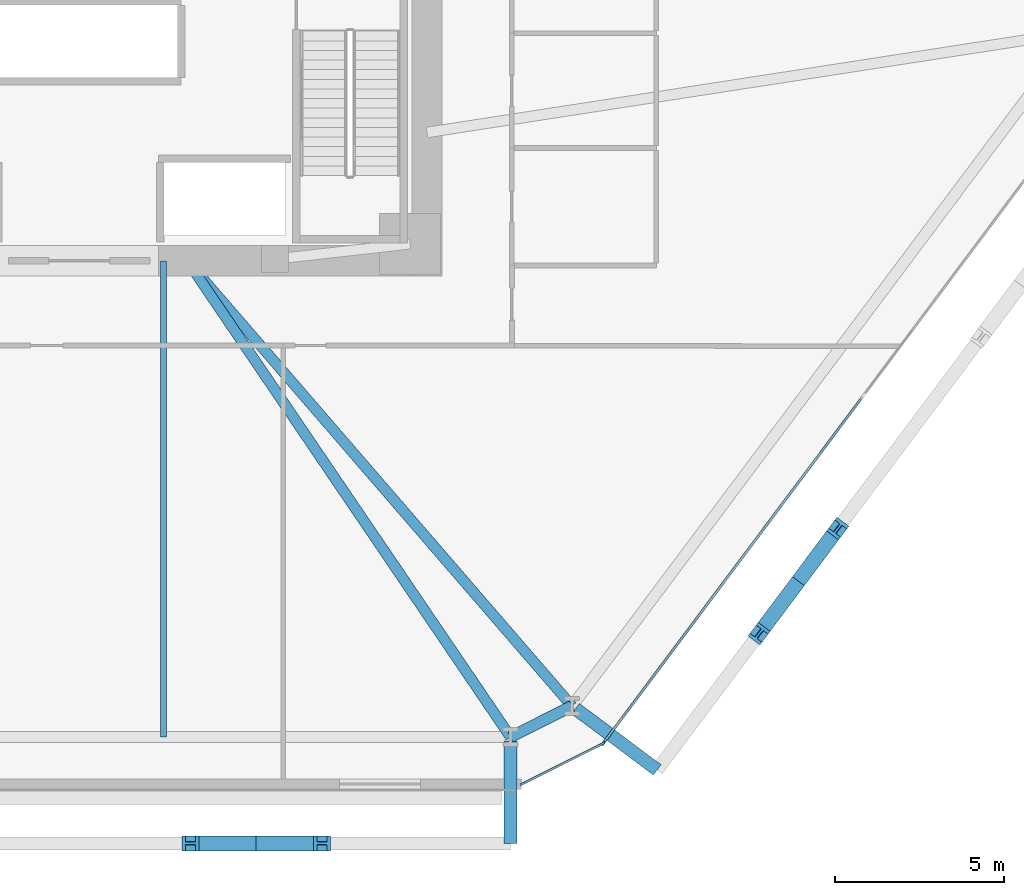
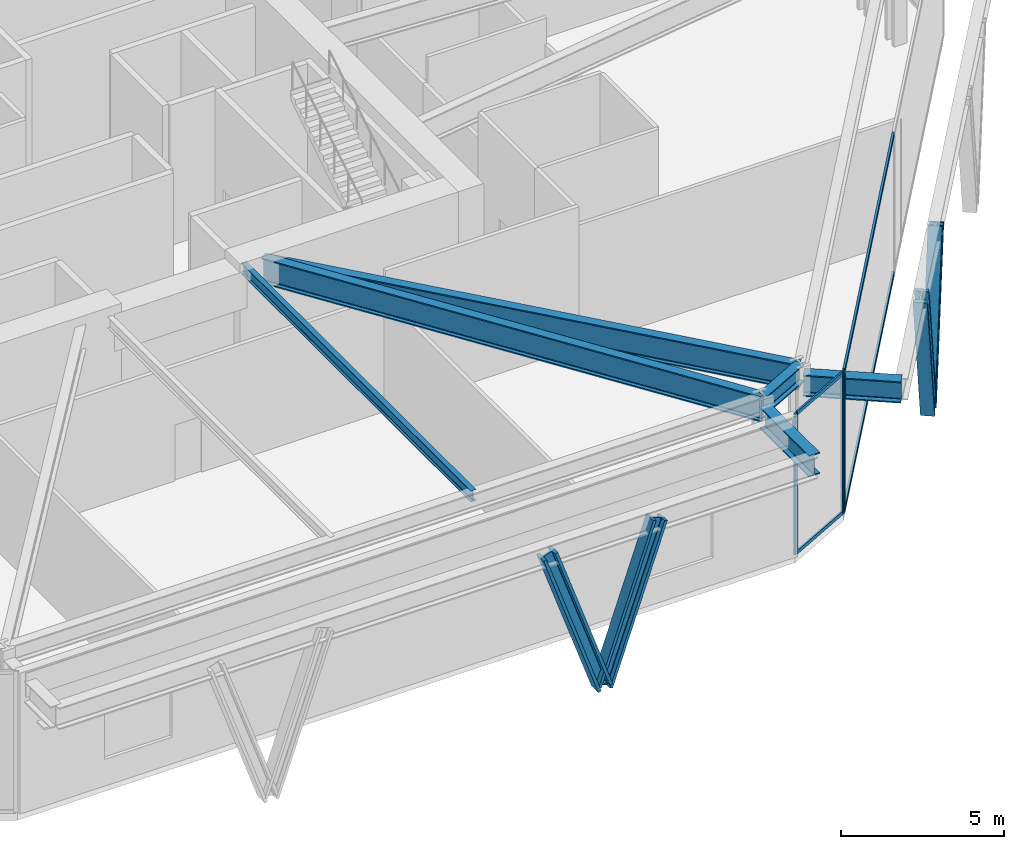
# One storey, part 5 of 19: 11 members, 6 beams, 2 elements without a shape of their own.
"""IFC4 building model written with IfcOpenShell, lengths in metres."""

import ifcopenshell
import ifcopenshell.guid

model = None  # the IFC model being written
_history = None  # IfcOwnerHistory: only IFC2X3 demands one
_inside = {}  # id of a spatial element -> (the spatial element, [elements in it])
_under = {}  # id of a project, library or spatial element -> (it, [spatial elements below it])
_declared = {}  # id of a project -> (the project, [libraries it declares])
_typed = {}  # id of a type object -> (the type object, [elements of that type])
_made_of = {}  # id of a material, layer set ... -> (it, [elements and type objects made of it])


def new_model(schema):
    """Start an empty IFC model of exactly this schema.

    Asked for "IFC4X3", IfcOpenShell would pick the latest addendum, in which some entities
    have other attributes; the version numbers below select the first issue.
    IFC2X3 requires an IfcOwnerHistory on every rooted entity: one is made here for all.
    """
    global model, _history
    if schema == "IFC4X3":
        model = ifcopenshell.file(schema_version=(4, 3, 0, 0))
    else:
        model = ifcopenshell.file(schema=schema)
    _inside.clear()
    _under.clear()
    _declared.clear()
    _typed.clear()
    _made_of.clear()
    _history = None
    if model.schema == "IFC2X3":
        org = make("IfcOrganization", Name="unknown")
        user = make(
            "IfcPersonAndOrganization",
            ThePerson=make("IfcPerson", FamilyName="unknown"),
            TheOrganization=org,
        )
        app = make(
            "IfcApplication",
            ApplicationDeveloper=org,
            Version="unknown",
            ApplicationFullName="unknown",
            ApplicationIdentifier="unknown",
        )
        _history = make(
            "IfcOwnerHistory",
            OwningUser=user,
            OwningApplication=app,
            ChangeAction="ADDED",
            CreationDate=0,
        )
    return model


def make(cls, **values):
    """One entity of the class cls with the attributes given. An attribute that is None is left unset."""
    return model.create_entity(
        cls, **{name: value for name, value in values.items() if value is not None}
    )


def rooted(cls, **values):
    """An entity with a GlobalId (a new one), such as an element, a storey or a relation."""
    return make(cls, GlobalId=ifcopenshell.guid.new(), OwnerHistory=_history, **values)


def si_unit(unit_type, name, prefix=None):
    """IfcSIUnit, for example si_unit("LENGTHUNIT", "METRE", prefix="MILLI")."""
    return make("IfcSIUnit", UnitType=unit_type, Prefix=prefix, Name=name)


def assignment(units):
    """IfcUnitAssignment: the units of a project."""
    return None if units is None else make("IfcUnitAssignment", Units=units)


def point(xyz):
    """IfcCartesianPoint."""
    return None if xyz is None else make("IfcCartesianPoint", Coordinates=xyz)


def direction(xyz):
    """IfcDirection."""
    return None if xyz is None else make("IfcDirection", DirectionRatios=xyz)


def frame(location, z_axis=None, x_axis=None):
    """IfcAxis2Placement3D, a coordinate frame: its origin and axes. An axis left out is left unset."""
    return make(
        "IfcAxis2Placement3D",
        Location=point(location),
        Axis=direction(z_axis),
        RefDirection=direction(x_axis),
    )


def frame_2d(location, x_axis=None):
    """IfcAxis2Placement2D, a coordinate frame in the plane: its origin and x axis."""
    return make(
        "IfcAxis2Placement2D", Location=point(location), RefDirection=direction(x_axis)
    )


def origin():
    """The frame at (0, 0, 0) with its axes left unset."""
    return frame((0.0, 0.0, 0.0))


def origin_2d():
    """The frame at (0, 0) in the plane with its x axis left unset."""
    return frame_2d((0.0, 0.0))


def place(relative_to, where):
    """IfcLocalPlacement: puts the frame where relative to a parent placement (None: the world)."""
    return make(
        "IfcLocalPlacement", PlacementRelTo=relative_to, RelativePlacement=where
    )


def context(
    kind, dimensions, precision=None, world=None, true_north=None, identifier=None
):
    """IfcGeometricRepresentationContext, for example the 3D "Model" context."""
    return make(
        "IfcGeometricRepresentationContext",
        ContextIdentifier=identifier,
        ContextType=kind,
        CoordinateSpaceDimension=dimensions,
        Precision=precision,
        WorldCoordinateSystem=world,
        TrueNorth=true_north,
    )


def subcontext(parent, identifier, kind, view, scale=None):
    """IfcGeometricRepresentationSubContext, for example "Body" below "Model"."""
    return make(
        "IfcGeometricRepresentationSubContext",
        ContextIdentifier=identifier,
        ContextType=kind,
        ParentContext=parent,
        TargetScale=scale,
        TargetView=view,
    )


def project(units=None, contexts=None):
    """IfcProject with its units and contexts."""
    return rooted(
        "IfcProject",
        Name="project",
        RepresentationContexts=contexts,
        UnitsInContext=assignment(units),
    )


def spatial(cls, under=None, at=None, **own):
    """A site, building, storey or space (cls), placed at a placement, below another one or the project."""
    s = rooted(cls, ObjectPlacement=at, **own)
    if under is not None:
        _under.setdefault(under.id(), (under, []))[1].append(s)
    return s


def profile(cls, at=None, kind="AREA", **sizes):
    """A parametric profile (cls). Its sizes go by their IFC names, for example OverallWidth=200.0."""
    return make(cls, ProfileType=kind, Position=at, **sizes)


def rectangle(**sizes):
    """IfcRectangleProfileDef."""
    return profile("IfcRectangleProfileDef", **sizes)


def i_section(**sizes):
    """IfcIShapeProfileDef."""
    return profile("IfcIShapeProfileDef", **sizes)


def extrude(swept, where, along, depth):
    """IfcExtrudedAreaSolid: the profile swept, set in the frame where, extruded along a direction by depth."""
    return make(
        "IfcExtrudedAreaSolid",
        SweptArea=swept,
        Position=where,
        ExtrudedDirection=direction(along),
        Depth=depth,
    )


def shape(context_of_items, identifier, shape_type, items):
    """IfcShapeRepresentation: the items that make up one representation, for example the "Body"."""
    return make(
        "IfcShapeRepresentation",
        ContextOfItems=context_of_items,
        RepresentationIdentifier=identifier,
        RepresentationType=shape_type,
        Items=items,
    )


def source(mapping_origin, context_of_items, identifier, shape_type, items):
    """IfcRepresentationMap: a shape defined once, which mapped items show again and again."""
    return make(
        "IfcRepresentationMap",
        MappingOrigin=mapping_origin,
        MappedRepresentation=shape(context_of_items, identifier, shape_type, items),
    )


def transform(
    local_origin,
    x_axis=None,
    y_axis=None,
    z_axis=None,
    scale=None,
    scale2=None,
    scale3=None,
    uniform=True,
):
    """IfcCartesianTransformationOperator3D, or its non-uniform kind. x_axis, y_axis, z_axis: its Axis1, 2, 3."""
    if uniform:
        return make(
            "IfcCartesianTransformationOperator3D",
            Axis1=direction(x_axis),
            Axis2=direction(y_axis),
            LocalOrigin=point(local_origin),
            Scale=scale,
            Axis3=direction(z_axis),
        )
    return make(
        "IfcCartesianTransformationOperator3DnonUniform",
        Axis1=direction(x_axis),
        Axis2=direction(y_axis),
        LocalOrigin=point(local_origin),
        Scale=scale,
        Axis3=direction(z_axis),
        Scale2=scale2,
        Scale3=scale3,
    )


def mapped(mapping_source, mapping_target):
    """IfcMappedItem: shows the shape of a source again, moved by a transform."""
    return make(
        "IfcMappedItem", MappingSource=mapping_source, MappingTarget=mapping_target
    )


def material(Name=None, Category=None):
    """IfcMaterial."""
    return make("IfcMaterial", Name=Name, Category=Category)


def layer(
    of_material, thickness, ventilated=None, Name=None, Category=None, Priority=None
):
    """IfcMaterialLayer: one layer of a wall or slab, of a material (None: an air gap)."""
    return make(
        "IfcMaterialLayer",
        Material=of_material,
        LayerThickness=thickness,
        IsVentilated=ventilated,
        Name=Name,
        Category=Category,
        Priority=Priority,
    )


def layer_set(layers, Name=None):
    """IfcMaterialLayerSet."""
    return make("IfcMaterialLayerSet", MaterialLayers=layers, LayerSetName=Name)


def material_profile(
    of_material, cross_section, Name=None, Category=None, Priority=None
):
    """IfcMaterialProfile: a cross section and its material."""
    return make(
        "IfcMaterialProfile",
        Name=Name,
        Material=of_material,
        Profile=cross_section,
        Priority=Priority,
        Category=Category,
    )


def profile_set(profiles, Name=None, composite=None):
    """IfcMaterialProfileSet."""
    return make(
        "IfcMaterialProfileSet",
        Name=Name,
        MaterialProfiles=profiles,
        CompositeProfile=composite,
    )


def made_of(thing, what):
    """Note that an element or type object is made of a material, layer set ...; save() writes the relation."""
    if what is not None:
        _made_of.setdefault(what.id(), (what, []))[1].append(thing)
    return thing


def type_object(cls, material=None, **own):
    """A type object (cls), such as IfcWallType, which elements share."""
    return made_of(rooted(cls, **own), material)


def type_shapes(of_type, sources):
    """Give a type object the sources (RepresentationMaps) that its elements show as mapped items."""
    of_type.RepresentationMaps = sources


def element(
    cls,
    number,
    at=None,
    inside=None,
    cuts=None,
    type_object=None,
    material=None,
    context=None,
    identifier="Body",
    shape_type=None,
    held_by="IfcProductDefinitionShape",
    body=None,
    shapes=None,
    **own,
):
    """One element of the class cls, such as IfcWall. Its Tag is "e" and its number.

    at: its placement. inside: the storey or other place that contains it. cuts: it is an
    opening in that element (IfcRelVoidsElement). A single representation is given by context,
    identifier, shape_type and body (its items); several are given by shapes. held_by: the class
    of the entity that holds the representations. save() writes the other relations.
    """
    e = rooted(cls, Tag="e%d" % number, ObjectPlacement=at, **own)
    if body is not None:
        shapes = [shape(context, identifier, shape_type, body)]
    if shapes is not None:
        e.Representation = make(held_by, Representations=shapes)
    if inside is not None:
        _inside.setdefault(inside.id(), (inside, []))[1].append(e)
    if cuts is not None:
        rooted(
            "IfcRelVoidsElement", RelatingBuildingElement=cuts, RelatedOpeningElement=e
        )
    if type_object is not None:
        _typed.setdefault(type_object.id(), (type_object, []))[1].append(e)
    return made_of(e, material)


def aggregate(whole, parts):
    """IfcRelAggregates: a whole, such as a stair, and the parts it consists of."""
    return rooted("IfcRelAggregates", RelatingObject=whole, RelatedObjects=parts)


def save(model, path):
    """Write the relations noted so far, then the file.

    IfcRelAggregates (storeys below a building ...), IfcRelContainedInSpatialStructure (elements
    in a storey), IfcRelDefinesByType, IfcRelAssociatesMaterial and IfcRelDeclares: one each for
    every whole, place, type object, material and project.
    """
    for whole, parts in _under.values():
        aggregate(whole, parts)
    for where, things in _inside.values():
        rooted(
            "IfcRelContainedInSpatialStructure",
            RelatedElements=things,
            RelatingStructure=where,
        )
    for kind, things in _typed.values():
        rooted("IfcRelDefinesByType", RelatedObjects=things, RelatingType=kind)
    for what, things in _made_of.values():
        rooted("IfcRelAssociatesMaterial", RelatedObjects=things, RelatingMaterial=what)
    for by, libraries in _declared.values():
        rooted("IfcRelDeclares", RelatingContext=by, RelatedDefinitions=libraries)
    model.write(path)


model = new_model("IFC4")

# Units and contexts
model_context = context("Model", 3, precision=1e-05, world=origin(), true_north=direction((0.0, 1.0)))
body_context = subcontext(model_context, "Body", "Model", "MODEL_VIEW")
ifc_project = project(units=[si_unit("LENGTHUNIT", "METRE"), si_unit("AREAUNIT", "SQUARE_METRE"), si_unit("VOLUMEUNIT", "CUBIC_METRE"), si_unit("PLANEANGLEUNIT", "RADIAN"), si_unit("MASSUNIT", "GRAM", prefix="KILO")], contexts=[model_context])

# Site, building, storey
site_placement = place(None, origin())
site = spatial("IfcSite", under=ifc_project, at=site_placement, CompositionType="ELEMENT")
building_placement = place(site_placement, origin())
building = spatial("IfcBuilding", under=site, at=building_placement, Name="Durnholm Broadcast Tower", CompositionType="ELEMENT")
storey_placement = place(building_placement, frame((0.0, 0.0, 15.60009765625)))
storey = spatial("IfcBuildingStorey", under=building, at=storey_placement, Name="L03", CompositionType="ELEMENT", Elevation=15.60009765625)

# Beams
ifc_material_1 = material(Name="Steel ASTM A992 Grade 50", Category="steel")
ifc_material_profile_1 = material_profile(ifc_material_1, i_section(OverallWidth=0.3330078125, OverallDepth=0.660888671875, WebThickness=0.0244140625, FlangeThickness=0.0439453125, FilletRadius=0.02783203125, at=origin_2d()), Name="W24X229")
ifc_profile_set_1 = profile_set([ifc_material_profile_1], Name="Steel ASTM A992 Grade 50")
beam_type_1 = type_object("IfcBeamType", Name="STL-SP-W24X229", PredefinedType="SPANDREL", material=ifc_profile_set_1)
shared_shape_1 = source(origin(), body_context, "Body", "SweptSolid", [
    extrude(i_section(OverallWidth=0.3330078125, OverallDepth=0.660888671875, WebThickness=0.0244140625, FlangeThickness=0.0439453125, FilletRadius=0.02783203125, at=origin_2d()), origin(), (0.0, 0.0, 1.0), 2.0380859375),
])
type_shapes(beam_type_1, [shared_shape_1])
beam_1_placement = place(storey_placement, frame((14.594482421875, -21.487548828125, 4.934326171875), z_axis=(-0.894211470078, -0.447644777452, 0.0), x_axis=(0.447644777452, -0.894211470078, 0.0)))
element("IfcBeam", 1, at=beam_1_placement, inside=storey, type_object=beam_type_1, Name="L03 perimeter spandrel girder 10", PredefinedType="SPANDREL", context=body_context, shape_type="MappedRepresentation", body=[
    mapped(shared_shape_1, transform((0.0, 0.0, 0.0), x_axis=(1.0, 0.0, 0.0), y_axis=(0.0, 1.0, 0.0), z_axis=(0.0, 0.0, 1.0), scale=1.0)),
])
ifc_material_profile_2 = material_profile(ifc_material_1, i_section(OverallWidth=0.180908203125, OverallDepth=0.417236328125, WebThickness=0.010986328125, FlangeThickness=0.018310546875, FilletRadius=0.01904296875, at=origin_2d()), Name="W16X57")
ifc_profile_set_2 = profile_set([ifc_material_profile_2], Name="Steel ASTM A992 Grade 50")
beam_type_2 = type_object("IfcBeamType", Name="STL-BJ-W16X57", PredefinedType="JOIST", material=ifc_profile_set_2)
shared_shape_2 = source(origin(), body_context, "Body", "SweptSolid", [
    extrude(i_section(OverallWidth=0.180908203125, OverallDepth=0.417236328125, WebThickness=0.010986328125, FlangeThickness=0.018310546875, FilletRadius=0.01904296875, at=origin_2d()), origin(), (0.0, 0.0, 1.0), 14.099853515625),
])
type_shapes(beam_type_2, [shared_shape_2])
beam_2_placement = place(storey_placement, frame((2.5, -22.39990234375, 5.05615234375), z_axis=(0.0, 1.0, 0.0), x_axis=(-1.0, 0.0, 0.0)))
element("IfcBeam", 2, at=beam_2_placement, inside=storey, type_object=beam_type_2, Name="L03 secondary floor joist 6.1", PredefinedType="JOIST", context=body_context, shape_type="MappedRepresentation", body=[
    mapped(shared_shape_2, transform((0.0, 0.0, 0.0), x_axis=(1.0, 0.0, 0.0), y_axis=(0.0, 1.0, 0.0), z_axis=(0.0, 0.0, 1.0), scale=1.0)),
])
ifc_material_profile_3 = material_profile(ifc_material_1, i_section(OverallWidth=0.385009765625, OverallDepth=0.802978515625, WebThickness=0.023681640625, FlangeThickness=0.0419921875, FilletRadius=0.032958984375, at=origin_2d()), Name="W30X261")
ifc_profile_set_3 = profile_set([ifc_material_profile_3], Name="Steel ASTM A992 Grade 50")
beam_type_3 = type_object("IfcBeamType", Name="BM-EXO-TIE", PredefinedType="USERDEFINED", material=ifc_profile_set_3)
shared_shape_3 = source(origin(), body_context, "Body", "SweptSolid", [
    extrude(i_section(OverallWidth=0.385009765625, OverallDepth=0.802978515625, WebThickness=0.023681640625, FlangeThickness=0.0419921875, FilletRadius=0.032958984375, at=origin_2d()), origin(), (0.0, 0.0, 1.0), 3.024169921875),
])
type_shapes(beam_type_3, [shared_shape_3])
for number, where, z_axis, x_axis, name in (
    (3, (12.77197265625, -22.52587890625, 4.5283203125), (0.0, -1.0, 0.0), (1.0, 0.0, 0.0), "L03 exoskeleton stand-off tie bracket F1.2"),
    (4, (14.6953125, -21.56298828125, 4.5283203125), (0.800609912919, -0.599185920509, 0.0), (0.599185920509, 0.800609912919, 0.0), "L03 exoskeleton stand-off tie bracket F2.1"),
):
    element("IfcBeam", number, at=place(storey_placement, frame(where, z_axis=z_axis, x_axis=x_axis)), inside=storey, type_object=beam_type_3, Name=name, ObjectType="GIRDER", PredefinedType="USERDEFINED", context=body_context, shape_type="MappedRepresentation", body=[
        mapped(shared_shape_3, transform((0.0, 0.0, 0.0), x_axis=(1.0, 0.0, 0.0), y_axis=(0.0, 1.0, 0.0), z_axis=(0.0, 0.0, 1.0), scale=1.0)),
    ])
ifc_material_profile_4 = material_profile(ifc_material_1, i_section(OverallWidth=0.310302734375, OverallDepth=0.950439453125, WebThickness=0.0244140625, FlangeThickness=0.0439453125, FilletRadius=0.0380859375, at=origin_2d()), Name="W36X256")
ifc_profile_set_4 = profile_set([ifc_material_profile_4], Name="Steel ASTM A992 Grade 50")
beam_type_4 = type_object("IfcBeamType", Name="STL-GR-W36X256", PredefinedType="USERDEFINED", material=ifc_profile_set_4)
shared_shape_4 = source(origin(), body_context, "Body", "SweptSolid", [
    extrude(i_section(OverallWidth=0.310302734375, OverallDepth=0.950439453125, WebThickness=0.0244140625, FlangeThickness=0.0439453125, FilletRadius=0.0380859375, at=origin_2d()), origin(), (0.0, 0.0, 1.0), 17.42822265625),
])
beam_3_placement = place(storey_placement, frame((3.199951171875, -8.300048828125, 4.78955078125), z_axis=(0.653794915042, -0.756671797456, 0.0), x_axis=(0.756671797456, 0.653794915042, 0.0)))
element("IfcBeam", 5, at=beam_3_placement, inside=storey, type_object=beam_type_4, Name="L03 radial primary floor girder 10", ObjectType="GIRDER", PredefinedType="USERDEFINED", context=body_context, shape_type="MappedRepresentation", body=[
    mapped(shared_shape_4, transform((0.0, 0.0, 0.0), x_axis=(1.0, 0.0, 0.0), y_axis=(0.0, 1.0, 0.0), z_axis=(0.0, 0.0, 1.0), scale=1.0)),
])
shared_shape_5 = source(origin(), body_context, "Body", "SweptSolid", [
    extrude(i_section(OverallWidth=0.310302734375, OverallDepth=0.950439453125, WebThickness=0.0244140625, FlangeThickness=0.0439453125, FilletRadius=0.0380859375, at=origin_2d()), origin(), (0.0, 0.0, 1.0), 17.0419921875),
])
type_shapes(beam_type_4, [shared_shape_4, shared_shape_5])
beam_4_placement = place(storey_placement, frame((3.199951171875, -8.300048828125, 4.78955078125), z_axis=(0.561672715675, -0.827359511015, 0.0), x_axis=(0.827359511015, 0.561672715675, 0.0)))
element("IfcBeam", 6, at=beam_4_placement, inside=storey, type_object=beam_type_4, Name="L03 radial primary floor girder 11", ObjectType="GIRDER", PredefinedType="USERDEFINED", context=body_context, shape_type="MappedRepresentation", body=[
    mapped(shared_shape_5, transform((0.0, 0.0, 0.0), x_axis=(1.0, 0.0, 0.0), y_axis=(0.0, 1.0, 0.0), z_axis=(0.0, 0.0, 1.0), scale=1.0)),
])

# Members
ifc_material_2 = material(Name="Steel ASTM A913 Grade 65", Category="steel")
ifc_material_profile_5 = material_profile(ifc_material_2, i_section(OverallWidth=0.44189453125, OverallDepth=0.531494140625, WebThickness=0.06591796875, FlangeThickness=0.105712890625, FilletRadius=0.030517578125, at=origin_2d()), Name="W14X605")
ifc_profile_set_5 = profile_set([ifc_material_profile_5], Name="Steel ASTM A913 Grade 65")
member_type_1 = type_object("IfcMemberType", Name="STL-DG-W14X605", PredefinedType="BRACE", material=ifc_profile_set_5)
shared_shape_6 = source(origin(), body_context, "Body", "SweptSolid", [
    extrude(i_section(OverallWidth=0.44189453125, OverallDepth=0.531494140625, WebThickness=0.06591796875, FlangeThickness=0.105712890625, FilletRadius=0.030517578125, at=origin_2d()), origin(), (0.0, 0.0, 1.0), 5.927734375),
])
type_shapes(member_type_1, [shared_shape_6])
for number, where, z_axis, x_axis, name in (
    (7, (5.242431640625, -25.550048828125, -1.071533203125), (-0.328003010817, 0.0, 0.944676677438), (0.0, -1.0, 0.0), "L03 stand-off diagrid brace F1.D2.1"),
    (8, (5.242431640625, -25.550048828125, -1.071533203125), (0.327966255365, 0.0, 0.944689438568), (0.0, 1.0, 0.0), "L03 stand-off diagrid brace F1.D2.2"),
    (9, (21.298095703125, -17.787109375, -1.071533203125), (-0.196500737073, -0.262563864775, 0.94469448884), (0.800617464095, -0.599175830776, 0.0), "L03 stand-off diagrid brace F2.D1.1"),
    (10, (21.298095703125, -17.787109375, -1.071533203125), (0.196538207265, 0.262600085818, 0.94467662616), (-0.800602308277, 0.599196081414, 0.0), "L03 stand-off diagrid brace F2.D1.2"),
):
    element("IfcMember", number, at=place(storey_placement, frame(where, z_axis=z_axis, x_axis=x_axis)), inside=storey, type_object=member_type_1, Name=name, PredefinedType="BRACE", context=body_context, shape_type="MappedRepresentation", body=[
        mapped(shared_shape_6, transform((0.0, 0.0, 0.0), x_axis=(1.0, 0.0, 0.0), y_axis=(0.0, 1.0, 0.0), z_axis=(0.0, 0.0, 1.0), scale=1.0)),
    ])

# Curtain wall, members
ifc_material_3 = material(Name="Aluminium and Solar Control IGU", Category="aluminium")
ifc_layer_1 = layer(ifc_material_3, 0.1650390625)
ifc_layer_set_1 = layer_set([ifc_layer_1], Name="Aluminium and Solar Control IGU")
curtain_wall_type_1 = type_object("IfcCurtainWallType", Name="CW-SYS-5", PredefinedType="NOTDEFINED", material=ifc_layer_set_1)
curtain_wall_1_placement = place(storey_placement, origin())
curtain_wall_1 = element("IfcCurtainWall", 11, at=curtain_wall_1_placement, inside=storey, type_object=curtain_wall_type_1, Name="L03 curtain wall CW-CORNER CW-L03-CRN-09", PredefinedType="NOTDEFINED")
ifc_material_4 = material(Name="Aluminium 6063-T6", Category="aluminium")
ifc_material_profile_6 = material_profile(ifc_material_4, rectangle(XDim=0.06494140625, YDim=0.1650390625, at=origin_2d()), Name="CWM65X165")
ifc_profile_set_6 = profile_set([ifc_material_profile_6], Name="Aluminium 6063-T6")
member_type_2 = type_object("IfcMemberType", Name="CW-SYS-5-MUL", PredefinedType="MULLION", material=ifc_profile_set_6)
shared_shape_7 = source(origin(), body_context, "Body", "SweptSolid", [
    extrude(rectangle(XDim=0.06494140625, YDim=0.1650390625, at=origin_2d()), origin(), (0.0, 0.0, 1.0), 5.27978515625),
])
type_shapes(member_type_2, [shared_shape_7])
member_1_placement = place(storey_placement, frame((15.488037109375, -22.60595703125, 0.0), z_axis=(0.0, 0.0, 1.0), x_axis=(0.447672802098, -0.894197440313, 0.0)))
member_1 = element("IfcMember", 12, at=member_1_placement, type_object=member_type_2, Name="CW-CORNER mullion 1", PredefinedType="MULLION", context=body_context, shape_type="MappedRepresentation", body=[
    mapped(shared_shape_7, transform((0.0, 0.0, 0.0), x_axis=(1.0, 0.0, 0.0), y_axis=(0.0, 1.0, 0.0), z_axis=(0.0, 0.0, 1.0), scale=1.0)),
])
member_2_placement = place(storey_placement, frame((13.1318359375, -23.785400390625, 0.0), z_axis=(0.0, 0.0, 1.0), x_axis=(0.447672802098, -0.894197440313, 0.0)))
member_2 = element("IfcMember", 13, at=member_2_placement, type_object=member_type_2, Name="CW-CORNER mullion 2", PredefinedType="MULLION", context=body_context, shape_type="MappedRepresentation", body=[
    mapped(shared_shape_7, transform((0.0, 0.0, 0.0), x_axis=(1.0, 0.0, 0.0), y_axis=(0.0, 1.0, 0.0), z_axis=(0.0, 0.0, 1.0), scale=1.0)),
])
ifc_material_profile_7 = material_profile(ifc_material_4, rectangle(XDim=0.06494140625, YDim=0.1298828125, at=origin_2d()), Name="CWT65X130")
ifc_profile_set_7 = profile_set([ifc_material_profile_7], Name="Aluminium 6063-T6")
member_type_3 = type_object("IfcMemberType", Name="CW-SYS-5-TRN", PredefinedType="USERDEFINED", material=ifc_profile_set_7)
shared_shape_8 = source(origin(), body_context, "Body", "SweptSolid", [
    extrude(rectangle(XDim=0.06494140625, YDim=0.1298828125, at=origin_2d()), origin(), (0.0, 0.0, 1.0), 2.570068359375),
])
type_shapes(member_type_3, [shared_shape_8])
member_3_placement = place(storey_placement, frame((15.458984375, -22.620361328125, 0.032470703125), z_axis=(-0.894180069769, -0.447707496953, 0.0), x_axis=(0.447707496953, -0.894180069769, 0.0)))
member_3 = element("IfcMember", 14, at=member_3_placement, type_object=member_type_3, Name="CW-CORNER transom 1.1", ObjectType="TRANSOM", PredefinedType="USERDEFINED", context=body_context, shape_type="MappedRepresentation", body=[
    mapped(shared_shape_8, transform((0.0, 0.0, 0.0), x_axis=(1.0, 0.0, 0.0), y_axis=(0.0, 1.0, 0.0), z_axis=(0.0, 0.0, 1.0), scale=1.0)),
])
member_4_placement = place(storey_placement, frame((15.458984375, -22.620361328125, 5.247314453125), z_axis=(-0.894180069769, -0.447707496953, 0.0), x_axis=(0.447707496953, -0.894180069769, 0.0)))
member_4 = element("IfcMember", 15, at=member_4_placement, type_object=member_type_3, Name="CW-CORNER transom 1.2", ObjectType="TRANSOM", PredefinedType="USERDEFINED", context=body_context, shape_type="MappedRepresentation", body=[
    mapped(shared_shape_8, transform((0.0, 0.0, 0.0), x_axis=(1.0, 0.0, 0.0), y_axis=(0.0, 1.0, 0.0), z_axis=(0.0, 0.0, 1.0), scale=1.0)),
])
aggregate(curtain_wall_1, [member_1, member_2, member_3, member_4])

ifc_layer_2 = layer(ifc_material_3, 0.219970703125)
ifc_layer_set_2 = layer_set([ifc_layer_2], Name="Aluminium and Solar Control IGU")
curtain_wall_type_2 = type_object("IfcCurtainWallType", Name="CW-SYS-2", PredefinedType="NOTDEFINED", material=ifc_layer_set_2)
curtain_wall_2_placement = place(storey_placement, origin())
curtain_wall_2 = element("IfcCurtainWall", 16, at=curtain_wall_2_placement, inside=storey, type_object=curtain_wall_type_2, Name="L03 curtain wall CW-STUDIO CW-L03-F08", PredefinedType="NOTDEFINED")
ifc_material_profile_8 = material_profile(ifc_material_4, rectangle(XDim=0.074951171875, YDim=0.219970703125, at=origin_2d()), Name="CWM75X220")
ifc_profile_set_8 = profile_set([ifc_material_profile_8], Name="Aluminium 6063-T6")
member_type_4 = type_object("IfcMemberType", Name="CW-SYS-2-MUL", PredefinedType="MULLION", material=ifc_profile_set_8)
shared_shape_9 = source(origin(), body_context, "Body", "SweptSolid", [
    extrude(rectangle(XDim=0.074951171875, YDim=0.219970703125, at=origin_2d()), origin(), (0.0, 0.0, 1.0), 5.27978515625),
])
type_shapes(member_type_4, [shared_shape_9])
member_5_placement = place(storey_placement, frame((15.53955078125, -22.561279296875, 0.0), z_axis=(0.0, 0.0, 1.0), x_axis=(0.800631836327, -0.59915662615, 0.0)))
member_5 = element("IfcMember", 17, at=member_5_placement, type_object=member_type_4, Name="CW-STUDIO mullion 3", PredefinedType="MULLION", context=body_context, shape_type="MappedRepresentation", body=[
    mapped(shared_shape_9, transform((0.0, 0.0, 0.0), x_axis=(1.0, 0.0, 0.0), y_axis=(0.0, 1.0, 0.0), z_axis=(0.0, 0.0, 1.0), scale=1.0)),
])
ifc_material_profile_9 = material_profile(ifc_material_4, rectangle(XDim=0.074951171875, YDim=0.179931640625, at=origin_2d()), Name="CWT75X180")
ifc_profile_set_9 = profile_set([ifc_material_profile_9], Name="Aluminium 6063-T6")
member_type_5 = type_object("IfcMemberType", Name="CW-SYS-2-TRN", PredefinedType="USERDEFINED", material=ifc_profile_set_9)
shared_shape_10 = source(origin(), body_context, "Body", "SweptSolid", [
    extrude(rectangle(XDim=0.074951171875, YDim=0.179931640625, at=origin_2d()), origin(), (0.0, 0.0, 1.0), 12.736328125),
])
type_shapes(member_type_5, [shared_shape_10])
member_6_placement = place(storey_placement, frame((23.193115234375, -12.334228515625, 0.037353515625), z_axis=(-0.59916237373, -0.800627535066, 0.0), x_axis=(0.800627535066, -0.59916237373, 0.0)))
member_6 = element("IfcMember", 18, at=member_6_placement, type_object=member_type_5, Name="CW-STUDIO transom 2.1", ObjectType="TRANSOM", PredefinedType="USERDEFINED", context=body_context, shape_type="MappedRepresentation", body=[
    mapped(shared_shape_10, transform((0.0, 0.0, 0.0), x_axis=(1.0, 0.0, 0.0), y_axis=(0.0, 1.0, 0.0), z_axis=(0.0, 0.0, 1.0), scale=1.0)),
])
member_7_placement = place(storey_placement, frame((23.193115234375, -12.334228515625, 5.242431640625), z_axis=(-0.59916237373, -0.800627535066, 0.0), x_axis=(0.800627535066, -0.59916237373, 0.0)))
member_7 = element("IfcMember", 19, at=member_7_placement, type_object=member_type_5, Name="CW-STUDIO transom 2.2", ObjectType="TRANSOM", PredefinedType="USERDEFINED", context=body_context, shape_type="MappedRepresentation", body=[
    mapped(shared_shape_10, transform((0.0, 0.0, 0.0), x_axis=(1.0, 0.0, 0.0), y_axis=(0.0, 1.0, 0.0), z_axis=(0.0, 0.0, 1.0), scale=1.0)),
])
aggregate(curtain_wall_2, [member_5, member_6, member_7])

save(model, "model.ifc")
